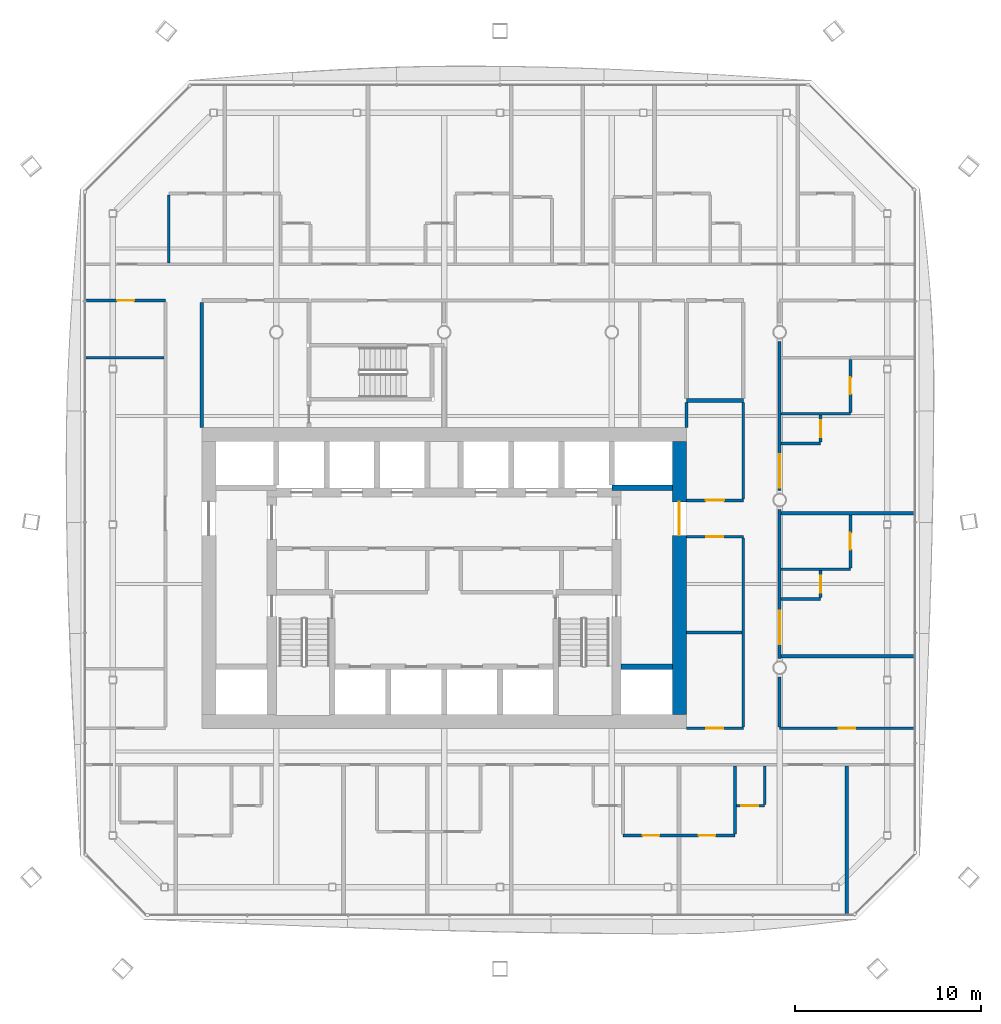
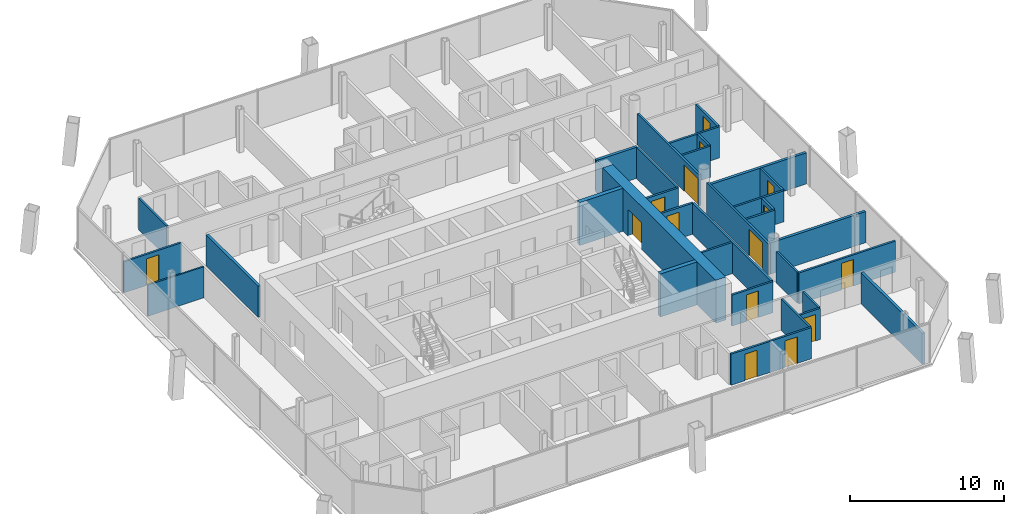
# One storey, part 13 of 18: 34 walls, 15 doors, 15 openings.
"""IFC4 building model written with IfcOpenShell, lengths in metres."""

from ifc_helpers import new_model, si_unit, direction, frame, frame_2d, origin, place, context, subcontext, project, spatial, rectangle, extrude, material, layer, layer_set, type_object, element, fill, save


model = new_model("IFC4")

# Units and contexts
model_context = context("Model", 3, precision=1e-05, world=origin(), true_north=direction((0.0, 1.0)))
body_context = subcontext(model_context, "Body", "Model", "MODEL_VIEW")
ifc_project = project(units=[si_unit("LENGTHUNIT", "METRE"), si_unit("AREAUNIT", "SQUARE_METRE"), si_unit("VOLUMEUNIT", "CUBIC_METRE"), si_unit("PLANEANGLEUNIT", "RADIAN"), si_unit("MASSUNIT", "GRAM", prefix="KILO")], contexts=[model_context])

# Site, building, storey
site_placement = place(None, origin())
site = spatial("IfcSite", under=ifc_project, at=site_placement, CompositionType="ELEMENT")
building_placement = place(site_placement, origin())
building = spatial("IfcBuilding", under=site, at=building_placement, Name="Tskaro Facet Tower", CompositionType="ELEMENT")
storey_placement = place(building_placement, frame((0.0, 0.0, 145.300048828125)))
storey = spatial("IfcBuildingStorey", under=building, at=storey_placement, Name="L35", CompositionType="ELEMENT", Elevation=145.300048828125)

# Walls
ifc_material_1 = material(Name="Concrete C60/75", Category="concrete")
ifc_layer_1 = layer(ifc_material_1, 0.300048828125, Name="Concrete C60/75")
ifc_layer_set_1 = layer_set([ifc_layer_1], Name="Concrete C60/75")
wall_type_1 = type_object("IfcWallType", Name="CORE-SHAFT", PredefinedType="SHEAR", material=ifc_layer_set_1)
wall_1_placement = place(storey_placement, frame((9.5, -8.949951171875, 0.0), z_axis=(0.0, 0.0, 1.0), x_axis=(1.0, 0.0, 0.0)))
element("IfcWall", 1, at=wall_1_placement, inside=storey, type_object=wall_type_1, Name="Shaft wall W015", PredefinedType="SHEAR", context=body_context, shape_type="SweptSolid", body=[
    extrude(rectangle(XDim=2.75, YDim=0.300048828125, at=frame_2d((1.375, 0.0))), origin(), (0.0, 0.0, 1.0), 3.39990234375),
])
wall_2_placement = place(storey_placement, frame((12.25, 0.64990234375, 0.0), z_axis=(0.0, 0.0, 1.0), x_axis=(-1.0, 0.0, 0.0)))
element("IfcWall", 2, at=wall_2_placement, inside=storey, type_object=wall_type_1, Name="Shaft wall W029", PredefinedType="SHEAR", context=body_context, shape_type="SweptSolid", body=[
    extrude(rectangle(XDim=3.25, YDim=0.300048828125, at=frame_2d((1.625, 0.0))), origin(), (0.0, 0.0, 1.0), 3.39990234375),
])

# Wall, opening, door
ifc_material_2 = material(Name="Concrete C50/60", Category="concrete")
ifc_layer_2 = layer(ifc_material_2, 0.75, Name="Concrete C50/60")
ifc_layer_set_2 = layer_set([ifc_layer_2], Name="Concrete C50/60")
wall_type_2 = type_object("IfcWallType", Name="Core wall 750", PredefinedType="SHEAR", material=ifc_layer_set_2)
wall_3_placement = place(storey_placement, frame((12.625, -11.5, 0.0), z_axis=(0.0, 0.0, 1.0), x_axis=(0.0, 1.0, 0.0)))
wall_3 = element("IfcWall", 3, at=wall_3_placement, inside=storey, type_object=wall_type_2, Name="Core wall CW-Z2E", PredefinedType="SHEAR", context=body_context, shape_type="SweptSolid", body=[
    extrude(rectangle(XDim=14.64990234375, YDim=0.75, at=frame_2d((7.324951171875, 0.0))), origin(), (0.0, 0.0, 1.0), 3.39990234375),
])
opening_1_placement = place(wall_3_placement, frame((9.60009765625, 0.0, 0.0)))
opening_1 = element("IfcOpeningElement", 4, at=opening_1_placement, cuts=wall_3, Name="Opening T10-D33", PredefinedType="OPENING", context=body_context, shape_type="SweptSolid", body=[
    extrude(rectangle(XDim=1.800048828125, YDim=2.10009765625, at=frame_2d((0.89990234375, 1.050048828125))), frame((0.0, 0.385009765625, 0.0), z_axis=(0.0, -1.0, 0.0), x_axis=(1.0, 0.0, 0.0)), (0.0, 0.0, 1.0), 0.77001953125),
])
ifc_material_3 = material(Name="Steel", Category="steel")
door_type_1 = type_object("IfcDoorType", Name="D-CORE-PAIR", OperationType="NOTDEFINED", PredefinedType="DOOR", material=ifc_material_3)
door_1_placement = place(opening_1_placement, origin())
door_1 = element("IfcDoor", 5, at=door_1_placement, inside=storey, type_object=door_type_1, Name="Door T10-D33", OperationType="DOUBLE_DOOR_SINGLE_SWING", OverallHeight=2.10009765625, OverallWidth=1.800048828125, PredefinedType="DOOR", context=body_context, shape_type="SweptSolid", body=[
    extrude(rectangle(XDim=1.800048828125, YDim=2.10009765625, at=frame_2d((0.89990234375, 1.050048828125))), frame((0.0, 0.02490234375, 0.0), z_axis=(0.0, -1.0, 0.0), x_axis=(1.0, 0.0, 0.0)), (0.0, 0.0, 1.0), 0.050048828125),
])
fill(opening_1, door_1)

# Wall
ifc_material_4 = material(Name="Gypsum board on steel studs", Category="steel")
ifc_layer_3 = layer(ifc_material_4, 0.125, Name="Gypsum board on steel studs")
ifc_layer_set_3 = layer_set([ifc_layer_3], Name="Gypsum board on steel studs")
wall_type_3 = type_object("IfcWallType", Name="PART", PredefinedType="PARTITIONING", material=ifc_layer_set_3)
wall_4_placement = place(storey_placement, frame((-19.221923828125, 7.6259765625, 0.0), z_axis=(0.0, 0.0, 1.0), x_axis=(1.0, 0.0, 0.0)))
element("IfcWall", 6, at=wall_4_placement, inside=storey, type_object=wall_type_3, Name="Partition W034", PredefinedType="PARTITIONING", context=body_context, shape_type="SweptSolid", body=[
    extrude(rectangle(XDim=4.197021484375, YDim=0.125, at=frame_2d((2.0986328125, 0.0))), origin(), (0.0, 0.0, 1.0), 2.4599609375),
])

# Wall, openings, doors
ifc_layer_4 = layer(ifc_material_4, 0.14990234375, Name="Gypsum board on steel studs")
ifc_layer_set_4 = layer_set([ifc_layer_4], Name="Gypsum board on steel studs")
wall_type_4 = type_object("IfcWallType", Name="PART-CORR", PredefinedType="PARTITIONING", material=ifc_layer_set_4)
wall_5_placement = place(storey_placement, frame((9.60009765625, -18.0, 0.0), z_axis=(0.0, 0.0, 1.0), x_axis=(1.0, 0.0, 0.0)))
wall_5 = element("IfcWall", 7, at=wall_5_placement, inside=storey, type_object=wall_type_4, Name="Corridor wall W002", PredefinedType="PARTITIONING", context=body_context, shape_type="SweptSolid", body=[
    extrude(rectangle(XDim=6.0, YDim=0.14990234375, at=frame_2d((3.0, 0.0))), origin(), (0.0, 0.0, 1.0), 2.4599609375),
])
opening_2_placement = place(wall_5_placement, frame((1.050048828125, 0.0, 0.0)))
opening_2 = element("IfcOpeningElement", 8, at=opening_2_placement, cuts=wall_5, Name="Opening T10-D02", PredefinedType="OPENING", context=body_context, shape_type="SweptSolid", body=[
    extrude(rectangle(XDim=0.89990234375, YDim=2.10009765625, at=frame_2d((0.449951171875, 1.050048828125))), frame((0.0, 0.0849609375, 0.0), z_axis=(0.0, -1.0, 0.0), x_axis=(1.0, 0.0, 0.0)), (0.0, 0.0, 1.0), 0.169921875),
])
opening_3_placement = place(wall_5_placement, frame((4.050048828125, 0.0, 0.0)))
opening_3 = element("IfcOpeningElement", 9, at=opening_3_placement, cuts=wall_5, Name="Opening T10-D03", PredefinedType="OPENING", context=body_context, shape_type="SweptSolid", body=[
    extrude(rectangle(XDim=0.89990234375, YDim=2.10009765625, at=frame_2d((0.449951171875, 1.050048828125))), frame((0.0, 0.0849609375, 0.0), z_axis=(0.0, -1.0, 0.0), x_axis=(1.0, 0.0, 0.0)), (0.0, 0.0, 1.0), 0.169921875),
])
ifc_material_5 = material(Name="Timber", Category="wood")
door_type_2 = type_object("IfcDoorType", Name="D-ROOM", OperationType="NOTDEFINED", PredefinedType="DOOR", material=ifc_material_5)
door_2_placement = place(opening_2_placement, origin())
door_2 = element("IfcDoor", 10, at=door_2_placement, inside=storey, type_object=door_type_2, Name="Door T10-D02", OperationType="SINGLE_SWING_LEFT", OverallHeight=2.10009765625, OverallWidth=0.89990234375, PredefinedType="DOOR", context=body_context, shape_type="SweptSolid", body=[
    extrude(rectangle(XDim=0.89990234375, YDim=2.10009765625, at=frame_2d((0.449951171875, 1.050048828125))), frame((0.0, 0.02490234375, 0.0), z_axis=(0.0, -1.0, 0.0), x_axis=(1.0, 0.0, 0.0)), (0.0, 0.0, 1.0), 0.050048828125),
])
fill(opening_2, door_2)
door_3_placement = place(opening_3_placement, origin())
door_3 = element("IfcDoor", 11, at=door_3_placement, inside=storey, type_object=door_type_2, Name="Door T10-D03", OperationType="SINGLE_SWING_LEFT", OverallHeight=2.10009765625, OverallWidth=0.89990234375, PredefinedType="DOOR", context=body_context, shape_type="SweptSolid", body=[
    extrude(rectangle(XDim=0.89990234375, YDim=2.10009765625, at=frame_2d((0.449951171875, 1.050048828125))), frame((0.0, 0.02490234375, 0.0), z_axis=(0.0, -1.0, 0.0), x_axis=(1.0, 0.0, 0.0)), (0.0, 0.0, 1.0), 0.050048828125),
])
fill(opening_3, door_3)

# Wall, opening, door
wall_6_placement = place(storey_placement, frame((15.675048828125, -16.39990234375, 0.0), z_axis=(0.0, 0.0, 1.0), x_axis=(1.0, 0.0, 0.0)))
wall_6 = element("IfcWall", 12, at=wall_6_placement, inside=storey, type_object=wall_type_4, Name="Corridor wall W007", PredefinedType="PARTITIONING", context=body_context, shape_type="SweptSolid", body=[
    extrude(rectangle(XDim=1.52490234375, YDim=0.14990234375, at=frame_2d((0.762451171875, 0.0))), origin(), (0.0, 0.0, 1.0), 2.4599609375),
])
opening_4_placement = place(wall_6_placement, frame((0.27490234375, 0.0, 0.0)))
opening_4 = element("IfcOpeningElement", 13, at=opening_4_placement, cuts=wall_6, Name="Opening T10-D09", PredefinedType="OPENING", context=body_context, shape_type="SweptSolid", body=[
    extrude(rectangle(XDim=0.89990234375, YDim=2.10009765625, at=frame_2d((0.449951171875, 1.050048828125))), frame((0.0, 0.0849609375, 0.0), z_axis=(0.0, -1.0, 0.0), x_axis=(1.0, 0.0, 0.0)), (0.0, 0.0, 1.0), 0.169921875),
])
door_4_placement = place(opening_4_placement, origin())
door_4 = element("IfcDoor", 14, at=door_4_placement, inside=storey, type_object=door_type_2, Name="Door T10-D09", OperationType="SINGLE_SWING_LEFT", OverallHeight=2.10009765625, OverallWidth=0.89990234375, PredefinedType="DOOR", context=body_context, shape_type="SweptSolid", body=[
    extrude(rectangle(XDim=0.89990234375, YDim=2.10009765625, at=frame_2d((0.449951171875, 1.050048828125))), frame((0.0, 0.02490234375, 0.0), z_axis=(0.0, -1.0, 0.0), x_axis=(1.0, 0.0, 0.0)), (0.0, 0.0, 1.0), 0.050048828125),
])
fill(opening_4, door_4)

wall_7_placement = place(storey_placement, frame((13.0, -12.25, 0.0), z_axis=(0.0, 0.0, 1.0), x_axis=(1.0, 0.0, 0.0)))
wall_7 = element("IfcWall", 15, at=wall_7_placement, inside=storey, type_object=wall_type_4, Name="Corridor wall W010", PredefinedType="PARTITIONING", context=body_context, shape_type="SweptSolid", body=[
    extrude(rectangle(XDim=3.050048828125, YDim=0.14990234375, at=frame_2d((1.52490234375, 0.0))), origin(), (0.0, 0.0, 1.0), 2.4599609375),
])
opening_5_placement = place(wall_7_placement, frame((1.074951171875, 0.0, 0.0)))
opening_5 = element("IfcOpeningElement", 16, at=opening_5_placement, cuts=wall_7, Name="Opening T10-D18", PredefinedType="OPENING", context=body_context, shape_type="SweptSolid", body=[
    extrude(rectangle(XDim=0.89990234375, YDim=2.10009765625, at=frame_2d((0.449951171875, 1.050048828125))), frame((0.0, 0.0849609375, 0.0), z_axis=(0.0, -1.0, 0.0), x_axis=(1.0, 0.0, 0.0)), (0.0, 0.0, 1.0), 0.169921875),
])
door_5_placement = place(opening_5_placement, origin())
door_5 = element("IfcDoor", 17, at=door_5_placement, inside=storey, type_object=door_type_2, Name="Door T10-D18", OperationType="SINGLE_SWING_LEFT", OverallHeight=2.10009765625, OverallWidth=0.89990234375, PredefinedType="DOOR", context=body_context, shape_type="SweptSolid", body=[
    extrude(rectangle(XDim=0.89990234375, YDim=2.10009765625, at=frame_2d((0.449951171875, 1.050048828125))), frame((0.0, 0.02490234375, 0.0), z_axis=(0.0, -1.0, 0.0), x_axis=(1.0, 0.0, 0.0)), (0.0, 0.0, 1.0), 0.050048828125),
])
fill(opening_5, door_5)

wall_8_placement = place(storey_placement, frame((18.0, -12.25, 0.0), z_axis=(0.0, 0.0, 1.0), x_axis=(1.0, 0.0, 0.0)))
wall_8 = element("IfcWall", 18, at=wall_8_placement, inside=storey, type_object=wall_type_4, Name="Corridor wall W011", PredefinedType="PARTITIONING", context=body_context, shape_type="SweptSolid", body=[
    extrude(rectangle(XDim=7.221923828125, YDim=0.14990234375, at=frame_2d((3.61083984375, 0.0))), origin(), (0.0, 0.0, 1.0), 2.4599609375),
])
opening_6_placement = place(wall_8_placement, frame((3.160888671875, 0.0, 0.0)))
opening_6 = element("IfcOpeningElement", 19, at=opening_6_placement, cuts=wall_8, Name="Opening T10-D19", PredefinedType="OPENING", context=body_context, shape_type="SweptSolid", body=[
    extrude(rectangle(XDim=0.89990234375, YDim=2.10009765625, at=frame_2d((0.449951171875, 1.050048828125))), frame((0.0, 0.0849609375, 0.0), z_axis=(0.0, -1.0, 0.0), x_axis=(1.0, 0.0, 0.0)), (0.0, 0.0, 1.0), 0.169921875),
])
door_6_placement = place(opening_6_placement, origin())
door_6 = element("IfcDoor", 20, at=door_6_placement, inside=storey, type_object=door_type_2, Name="Door T10-D19", OperationType="SINGLE_SWING_LEFT", OverallHeight=2.10009765625, OverallWidth=0.89990234375, PredefinedType="DOOR", context=body_context, shape_type="SweptSolid", body=[
    extrude(rectangle(XDim=0.89990234375, YDim=2.10009765625, at=frame_2d((0.449951171875, 1.050048828125))), frame((0.0, 0.02490234375, 0.0), z_axis=(0.0, -1.0, 0.0), x_axis=(1.0, 0.0, 0.0)), (0.0, 0.0, 1.0), 0.050048828125),
])
fill(opening_6, door_6)

# Walls
wall_9_placement = place(storey_placement, frame((13.0, -7.112060546875, 0.0), z_axis=(0.0, 0.0, 1.0), x_axis=(1.0, 0.0, 0.0)))
element("IfcWall", 21, at=wall_9_placement, inside=storey, type_object=wall_type_4, Name="Corridor wall W017", PredefinedType="PARTITIONING", context=body_context, shape_type="SweptSolid", body=[
    extrude(rectangle(XDim=2.97509765625, YDim=0.14990234375, at=frame_2d((1.487548828125, 0.0))), origin(), (0.0, 0.0, 1.0), 2.4599609375),
])
wall_10_placement = place(storey_placement, frame((18.074951171875, -5.31591796875, 0.0), z_axis=(0.0, 0.0, 1.0), x_axis=(1.0, 0.0, 0.0)))
element("IfcWall", 22, at=wall_10_placement, inside=storey, type_object=wall_type_4, Name="Corridor wall W018", PredefinedType="PARTITIONING", context=body_context, shape_type="SweptSolid", body=[
    extrude(rectangle(XDim=2.125, YDim=0.14990234375, at=frame_2d((1.0625, 0.0))), origin(), (0.0, 0.0, 1.0), 2.4599609375),
])
wall_11_placement = place(storey_placement, frame((18.074951171875, -3.716064453125, 0.0), z_axis=(0.0, 0.0, 1.0), x_axis=(1.0, 0.0, 0.0)))
element("IfcWall", 23, at=wall_11_placement, inside=storey, type_object=wall_type_4, Name="Corridor wall W023", PredefinedType="PARTITIONING", context=body_context, shape_type="SweptSolid", body=[
    extrude(rectangle(XDim=3.72509765625, YDim=0.14990234375, at=frame_2d((1.862548828125, 0.0))), origin(), (0.0, 0.0, 1.0), 2.4599609375),
])

# Wall, opening, door
wall_12_placement = place(storey_placement, frame((16.050048828125, -1.97509765625, 0.0), z_axis=(0.0, 0.0, 1.0), x_axis=(-1.0, 0.0, 0.0)))
wall_12 = element("IfcWall", 24, at=wall_12_placement, inside=storey, type_object=wall_type_4, Name="Corridor wall W025", PredefinedType="PARTITIONING", context=body_context, shape_type="SweptSolid", body=[
    extrude(rectangle(XDim=3.050048828125, YDim=0.14990234375, at=frame_2d((1.52490234375, 0.0))), origin(), (0.0, 0.0, 1.0), 2.4599609375),
])
opening_7_placement = place(wall_12_placement, frame((1.074951171875, 0.0, 0.0)))
opening_7 = element("IfcOpeningElement", 25, at=opening_7_placement, cuts=wall_12, Name="Opening T10-D29", PredefinedType="OPENING", context=body_context, shape_type="SweptSolid", body=[
    extrude(rectangle(XDim=0.89990234375, YDim=2.10009765625, at=frame_2d((0.449951171875, 1.050048828125))), frame((0.0, 0.0849609375, 0.0), z_axis=(0.0, -1.0, 0.0), x_axis=(1.0, 0.0, 0.0)), (0.0, 0.0, 1.0), 0.169921875),
])
door_7_placement = place(opening_7_placement, origin())
door_7 = element("IfcDoor", 26, at=door_7_placement, inside=storey, type_object=door_type_2, Name="Door T10-D29", OperationType="SINGLE_SWING_RIGHT", OverallHeight=2.10009765625, OverallWidth=0.89990234375, PredefinedType="DOOR", context=body_context, shape_type="SweptSolid", body=[
    extrude(rectangle(XDim=0.89990234375, YDim=2.10009765625, at=frame_2d((0.449951171875, 1.050048828125))), frame((0.0, 0.02490234375, 0.0), z_axis=(0.0, -1.0, 0.0), x_axis=(1.0, 0.0, 0.0)), (0.0, 0.0, 1.0), 0.050048828125),
])
fill(opening_7, door_7)

wall_13_placement = place(storey_placement, frame((13.0, -0.02490234375, 0.0), z_axis=(0.0, 0.0, 1.0), x_axis=(1.0, 0.0, 0.0)))
wall_13 = element("IfcWall", 27, at=wall_13_placement, inside=storey, type_object=wall_type_4, Name="Corridor wall W027", PredefinedType="PARTITIONING", context=body_context, shape_type="SweptSolid", body=[
    extrude(rectangle(XDim=3.050048828125, YDim=0.14990234375, at=frame_2d((1.52490234375, 0.0))), origin(), (0.0, 0.0, 1.0), 2.4599609375),
])
opening_8_placement = place(wall_13_placement, frame((1.02490234375, 0.0, 0.0)))
opening_8 = element("IfcOpeningElement", 28, at=opening_8_placement, cuts=wall_13, Name="Opening T10-D35", PredefinedType="OPENING", context=body_context, shape_type="SweptSolid", body=[
    extrude(rectangle(XDim=1.0, YDim=2.10009765625, at=frame_2d((0.5, 1.050048828125))), frame((0.0, 0.0849609375, 0.0), z_axis=(0.0, -1.0, 0.0), x_axis=(1.0, 0.0, 0.0)), (0.0, 0.0, 1.0), 0.169921875),
])
door_type_3 = type_object("IfcDoorType", Name="D-ROOM-WIDE", OperationType="NOTDEFINED", PredefinedType="DOOR", material=ifc_material_5)
door_8_placement = place(opening_8_placement, origin())
door_8 = element("IfcDoor", 29, at=door_8_placement, inside=storey, type_object=door_type_3, Name="Door T10-D35", OperationType="SINGLE_SWING_LEFT", OverallHeight=2.10009765625, OverallWidth=1.0, PredefinedType="DOOR", context=body_context, shape_type="SweptSolid", body=[
    extrude(rectangle(XDim=1.0, YDim=2.10009765625, at=frame_2d((0.5, 1.050048828125))), frame((0.0, 0.02490234375, 0.0), z_axis=(0.0, -1.0, 0.0), x_axis=(1.0, 0.0, 0.0)), (0.0, 0.0, 1.0), 0.050048828125),
])
fill(opening_8, door_8)

# Walls
wall_14_placement = place(storey_placement, frame((18.074951171875, 3.02587890625, 0.0), z_axis=(0.0, 0.0, 1.0), x_axis=(1.0, 0.0, 0.0)))
element("IfcWall", 30, at=wall_14_placement, inside=storey, type_object=wall_type_4, Name="Corridor wall W030", PredefinedType="PARTITIONING", context=body_context, shape_type="SweptSolid", body=[
    extrude(rectangle(XDim=2.125, YDim=0.14990234375, at=frame_2d((1.0625, 0.0))), origin(), (0.0, 0.0, 1.0), 2.4599609375),
])
wall_15_placement = place(storey_placement, frame((18.074951171875, 4.6259765625, 0.0), z_axis=(0.0, 0.0, 1.0), x_axis=(1.0, 0.0, 0.0)))
element("IfcWall", 31, at=wall_15_placement, inside=storey, type_object=wall_type_4, Name="Corridor wall W031", PredefinedType="PARTITIONING", context=body_context, shape_type="SweptSolid", body=[
    extrude(rectangle(XDim=3.72509765625, YDim=0.14990234375, at=frame_2d((1.862548828125, 0.0))), origin(), (0.0, 0.0, 1.0), 2.4599609375),
])

# Wall, opening, door
wall_16_placement = place(storey_placement, frame((-14.949951171875, 10.699951171875, 0.0), z_axis=(0.0, 0.0, 1.0), x_axis=(-1.0, 0.0, 0.0)))
wall_16 = element("IfcWall", 32, at=wall_16_placement, inside=storey, type_object=wall_type_4, Name="Corridor wall W039", PredefinedType="PARTITIONING", context=body_context, shape_type="SweptSolid", body=[
    extrude(rectangle(XDim=4.27197265625, YDim=0.14990234375, at=frame_2d((2.135986328125, 0.0))), origin(), (0.0, 0.0, 1.0), 2.4599609375),
])
opening_9_placement = place(wall_16_placement, frame((1.68603515625, 0.0, 0.0)))
opening_9 = element("IfcOpeningElement", 33, at=opening_9_placement, cuts=wall_16, Name="Opening T10-D42", PredefinedType="OPENING", context=body_context, shape_type="SweptSolid", body=[
    extrude(rectangle(XDim=0.89990234375, YDim=2.10009765625, at=frame_2d((0.449951171875, 1.050048828125))), frame((0.0, 0.0849609375, 0.0), z_axis=(0.0, -1.0, 0.0), x_axis=(1.0, 0.0, 0.0)), (0.0, 0.0, 1.0), 0.169921875),
])
door_9_placement = place(opening_9_placement, origin())
door_9 = element("IfcDoor", 34, at=door_9_placement, inside=storey, type_object=door_type_2, Name="Door T10-D42", OperationType="SINGLE_SWING_RIGHT", OverallHeight=2.10009765625, OverallWidth=0.89990234375, PredefinedType="DOOR", context=body_context, shape_type="SweptSolid", body=[
    extrude(rectangle(XDim=0.89990234375, YDim=2.10009765625, at=frame_2d((0.449951171875, 1.050048828125))), frame((0.0, 0.02490234375, 0.0), z_axis=(0.0, -1.0, 0.0), x_axis=(1.0, 0.0, 0.0)), (0.0, 0.0, 1.0), 0.050048828125),
])
fill(opening_9, door_9)

# Walls
wall_17_placement = place(storey_placement, frame((-14.76806640625, 12.72509765625, 0.0), z_axis=(0.0, 0.0, 1.0), x_axis=(0.0, 1.0, 0.0)))
element("IfcWall", 35, at=wall_17_placement, inside=storey, type_object=wall_type_4, Name="Corridor wall W056", PredefinedType="PARTITIONING", context=body_context, shape_type="SweptSolid", body=[
    extrude(rectangle(XDim=3.64990234375, YDim=0.14990234375, at=frame_2d((1.824951171875, 0.0))), origin(), (0.0, 0.0, 1.0), 2.4599609375),
])
wall_18_placement = place(storey_placement, frame((13.0, 3.89990234375, 0.0), z_axis=(0.0, 0.0, 1.0), x_axis=(0.0, 1.0, 0.0)))
element("IfcWall", 36, at=wall_18_placement, inside=storey, type_object=wall_type_4, Name="Corridor wall W104", PredefinedType="PARTITIONING", context=body_context, shape_type="SweptSolid", body=[
    extrude(rectangle(XDim=1.337158203125, YDim=0.14990234375, at=frame_2d((0.66845703125, 0.0))), origin(), (0.0, 0.0, 1.0), 2.4599609375),
])
wall_19_placement = place(storey_placement, frame((15.60009765625, -17.925048828125, 0.0), z_axis=(0.0, 0.0, 1.0), x_axis=(0.0, 1.0, 0.0)))
element("IfcWall", 37, at=wall_19_placement, inside=storey, type_object=wall_type_4, Name="Corridor wall W107", PredefinedType="PARTITIONING", context=body_context, shape_type="SweptSolid", body=[
    extrude(rectangle(XDim=3.650146484375, YDim=0.14990234375, at=frame_2d((1.8251953125, 0.0))), origin(), (0.0, 0.0, 1.0), 2.4599609375),
])
wall_20_placement = place(storey_placement, frame((16.050048828125, -12.175048828125, 0.0), z_axis=(0.0, 0.0, 1.0), x_axis=(0.0, 1.0, 0.0)))
element("IfcWall", 38, at=wall_20_placement, inside=storey, type_object=wall_type_4, Name="Corridor wall W109", PredefinedType="PARTITIONING", context=body_context, shape_type="SweptSolid", body=[
    extrude(rectangle(XDim=10.125, YDim=0.14990234375, at=frame_2d((5.0625, 0.0))), origin(), (0.0, 0.0, 1.0), 2.4599609375),
])
wall_21_placement = place(storey_placement, frame((16.050048828125, 0.050048828125, 0.0), z_axis=(0.0, 0.0, 1.0), x_axis=(0.0, 1.0, 0.0)))
element("IfcWall", 39, at=wall_21_placement, inside=storey, type_object=wall_type_4, Name="Corridor wall W110", PredefinedType="PARTITIONING", context=body_context, shape_type="SweptSolid", body=[
    extrude(rectangle(XDim=5.18701171875, YDim=0.14990234375, at=frame_2d((2.593505859375, 0.0))), origin(), (0.0, 0.0, 1.0), 2.4599609375),
])
wall_22_placement = place(storey_placement, frame((17.199951171875, -16.324951171875, 0.0), z_axis=(0.0, 0.0, 1.0), x_axis=(0.0, 1.0, 0.0)))
element("IfcWall", 40, at=wall_22_placement, inside=storey, type_object=wall_type_4, Name="Corridor wall W112", PredefinedType="PARTITIONING", context=body_context, shape_type="SweptSolid", body=[
    extrude(rectangle(XDim=2.050048828125, YDim=0.14990234375, at=frame_2d((1.02490234375, 0.0))), origin(), (0.0, 0.0, 1.0), 2.4599609375),
])
wall_23_placement = place(storey_placement, frame((18.0, -12.175048828125, 0.0), z_axis=(0.0, 0.0, 1.0), x_axis=(0.0, 1.0, 0.0)))
element("IfcWall", 41, at=wall_23_placement, inside=storey, type_object=wall_type_4, Name="Corridor wall W113", PredefinedType="PARTITIONING", context=body_context, shape_type="SweptSolid", body=[
    extrude(rectangle(XDim=2.675048828125, YDim=0.14990234375, at=frame_2d((1.33740234375, 0.0))), origin(), (0.0, 0.0, 1.0), 2.4599609375),
])

# Wall, opening, door
wall_24_placement = place(storey_placement, frame((18.0, -0.5, 0.0), z_axis=(0.0, 0.0, 1.0), x_axis=(0.0, -1.0, 0.0)))
wall_24 = element("IfcWall", 42, at=wall_24_placement, inside=storey, type_object=wall_type_4, Name="Corridor wall W114", PredefinedType="PARTITIONING", context=body_context, shape_type="SweptSolid", body=[
    extrude(rectangle(XDim=8.0, YDim=0.14990234375, at=frame_2d((4.0, 0.0))), origin(), (0.0, 0.0, 1.0), 2.4599609375),
])
opening_10_placement = place(wall_24_placement, frame((5.447998046875, 0.0, 0.0)))
opening_10 = element("IfcOpeningElement", 43, at=opening_10_placement, cuts=wall_24, Name="Opening T10-D22", PredefinedType="OPENING", context=body_context, shape_type="SweptSolid", body=[
    extrude(rectangle(XDim=1.800048828125, YDim=2.10009765625, at=frame_2d((0.89990234375, 1.050048828125))), frame((0.0, 0.0849609375, 0.0), z_axis=(0.0, -1.0, 0.0), x_axis=(1.0, 0.0, 0.0)), (0.0, 0.0, 1.0), 0.169921875),
])
door_type_4 = type_object("IfcDoorType", Name="D-SUITE-PAIR", OperationType="NOTDEFINED", PredefinedType="DOOR", material=ifc_material_5)
door_10_placement = place(opening_10_placement, origin())
door_10 = element("IfcDoor", 44, at=door_10_placement, inside=storey, type_object=door_type_4, Name="Door T10-D22", OperationType="DOUBLE_DOOR_SINGLE_SWING", OverallHeight=2.10009765625, OverallWidth=1.800048828125, PredefinedType="DOOR", context=body_context, shape_type="SweptSolid", body=[
    extrude(rectangle(XDim=1.800048828125, YDim=2.10009765625, at=frame_2d((0.89990234375, 1.050048828125))), frame((0.0, 0.02490234375, 0.0), z_axis=(0.0, -1.0, 0.0), x_axis=(1.0, 0.0, 0.0)), (0.0, 0.0, 1.0), 0.050048828125),
])
fill(opening_10, door_10)

wall_25_placement = place(storey_placement, frame((18.0, 8.5, 0.0), z_axis=(0.0, 0.0, 1.0), x_axis=(0.0, -1.0, 0.0)))
wall_25 = element("IfcWall", 45, at=wall_25_placement, inside=storey, type_object=wall_type_4, Name="Corridor wall W115", PredefinedType="PARTITIONING", context=body_context, shape_type="SweptSolid", body=[
    extrude(rectangle(XDim=8.0, YDim=0.14990234375, at=frame_2d((4.0, 0.0))), origin(), (0.0, 0.0, 1.0), 2.4599609375),
])
opening_11_placement = place(wall_25_placement, frame((6.050048828125, 0.0, 0.0)))
opening_11 = element("IfcOpeningElement", 46, at=opening_11_placement, cuts=wall_25, Name="Opening T10-D38", PredefinedType="OPENING", context=body_context, shape_type="SweptSolid", body=[
    extrude(rectangle(XDim=1.800048828125, YDim=2.10009765625, at=frame_2d((0.89990234375, 1.050048828125))), frame((0.0, 0.0849609375, 0.0), z_axis=(0.0, -1.0, 0.0), x_axis=(1.0, 0.0, 0.0)), (0.0, 0.0, 1.0), 0.169921875),
])
door_11_placement = place(opening_11_placement, origin())
door_11 = element("IfcDoor", 47, at=door_11_placement, inside=storey, type_object=door_type_4, Name="Door T10-D38", OperationType="DOUBLE_DOOR_SINGLE_SWING", OverallHeight=2.10009765625, OverallWidth=1.800048828125, PredefinedType="DOOR", context=body_context, shape_type="SweptSolid", body=[
    extrude(rectangle(XDim=1.800048828125, YDim=2.10009765625, at=frame_2d((0.89990234375, 1.050048828125))), frame((0.0, 0.02490234375, 0.0), z_axis=(0.0, -1.0, 0.0), x_axis=(1.0, 0.0, 0.0)), (0.0, 0.0, 1.0), 0.050048828125),
])
fill(opening_11, door_11)

wall_26_placement = place(storey_placement, frame((20.199951171875, -5.240966796875, 0.0), z_axis=(0.0, 0.0, 1.0), x_axis=(0.0, 1.0, 0.0)))
wall_26 = element("IfcWall", 48, at=wall_26_placement, inside=storey, type_object=wall_type_4, Name="Corridor wall W118", PredefinedType="PARTITIONING", context=body_context, shape_type="SweptSolid", body=[
    extrude(rectangle(XDim=1.449951171875, YDim=0.14990234375, at=frame_2d((0.72509765625, 0.0))), origin(), (0.0, 0.0, 1.0), 2.4599609375),
])
opening_12_placement = place(wall_26_placement, frame((0.27490234375, 0.0, 0.0)))
opening_12 = element("IfcOpeningElement", 49, at=opening_12_placement, cuts=wall_26, Name="Opening T10-D23", PredefinedType="OPENING", context=body_context, shape_type="SweptSolid", body=[
    extrude(rectangle(XDim=0.89990234375, YDim=2.10009765625, at=frame_2d((0.449951171875, 1.050048828125))), frame((0.0, 0.0849609375, 0.0), z_axis=(0.0, -1.0, 0.0), x_axis=(1.0, 0.0, 0.0)), (0.0, 0.0, 1.0), 0.169921875),
])
door_12_placement = place(opening_12_placement, origin())
door_12 = element("IfcDoor", 50, at=door_12_placement, inside=storey, type_object=door_type_2, Name="Door T10-D23", OperationType="SINGLE_SWING_LEFT", OverallHeight=2.10009765625, OverallWidth=0.89990234375, PredefinedType="DOOR", context=body_context, shape_type="SweptSolid", body=[
    extrude(rectangle(XDim=0.89990234375, YDim=2.10009765625, at=frame_2d((0.449951171875, 1.050048828125))), frame((0.0, 0.02490234375, 0.0), z_axis=(0.0, -1.0, 0.0), x_axis=(1.0, 0.0, 0.0)), (0.0, 0.0, 1.0), 0.050048828125),
])
fill(opening_12, door_12)

wall_27_placement = place(storey_placement, frame((20.199951171875, 3.10107421875, 0.0), z_axis=(0.0, 0.0, 1.0), x_axis=(0.0, 1.0, 0.0)))
wall_27 = element("IfcWall", 51, at=wall_27_placement, inside=storey, type_object=wall_type_4, Name="Corridor wall W119", PredefinedType="PARTITIONING", context=body_context, shape_type="SweptSolid", body=[
    extrude(rectangle(XDim=1.449951171875, YDim=0.14990234375, at=frame_2d((0.72509765625, 0.0))), origin(), (0.0, 0.0, 1.0), 2.4599609375),
])
opening_13_placement = place(wall_27_placement, frame((0.27490234375, 0.0, 0.0)))
opening_13 = element("IfcOpeningElement", 52, at=opening_13_placement, cuts=wall_27, Name="Opening T10-D39", PredefinedType="OPENING", context=body_context, shape_type="SweptSolid", body=[
    extrude(rectangle(XDim=0.89990234375, YDim=2.10009765625, at=frame_2d((0.449951171875, 1.050048828125))), frame((0.0, 0.0849609375, 0.0), z_axis=(0.0, -1.0, 0.0), x_axis=(1.0, 0.0, 0.0)), (0.0, 0.0, 1.0), 0.169921875),
])
door_13_placement = place(opening_13_placement, origin())
door_13 = element("IfcDoor", 53, at=door_13_placement, inside=storey, type_object=door_type_2, Name="Door T10-D39", OperationType="SINGLE_SWING_LEFT", OverallHeight=2.10009765625, OverallWidth=0.89990234375, PredefinedType="DOOR", context=body_context, shape_type="SweptSolid", body=[
    extrude(rectangle(XDim=0.89990234375, YDim=2.10009765625, at=frame_2d((0.449951171875, 1.050048828125))), frame((0.0, 0.02490234375, 0.0), z_axis=(0.0, -1.0, 0.0), x_axis=(1.0, 0.0, 0.0)), (0.0, 0.0, 1.0), 0.050048828125),
])
fill(opening_13, door_13)

wall_28_placement = place(storey_placement, frame((21.800048828125, -3.64111328125, 0.0), z_axis=(0.0, 0.0, 1.0), x_axis=(0.0, 1.0, 0.0)))
wall_28 = element("IfcWall", 54, at=wall_28_placement, inside=storey, type_object=wall_type_4, Name="Corridor wall W121", PredefinedType="PARTITIONING", context=body_context, shape_type="SweptSolid", body=[
    extrude(rectangle(XDim=2.8251953125, YDim=0.14990234375, at=frame_2d((1.41259765625, 0.0))), origin(), (0.0, 0.0, 1.0), 2.4599609375),
])
opening_14_placement = place(wall_28_placement, frame((0.97509765625, 0.0, 0.0)))
opening_14 = element("IfcOpeningElement", 55, at=opening_14_placement, cuts=wall_28, Name="Opening T10-D28", PredefinedType="OPENING", context=body_context, shape_type="SweptSolid", body=[
    extrude(rectangle(XDim=0.89990234375, YDim=2.10009765625, at=frame_2d((0.449951171875, 1.050048828125))), frame((0.0, 0.0849609375, 0.0), z_axis=(0.0, -1.0, 0.0), x_axis=(1.0, 0.0, 0.0)), (0.0, 0.0, 1.0), 0.169921875),
])
door_14_placement = place(opening_14_placement, origin())
door_14 = element("IfcDoor", 56, at=door_14_placement, inside=storey, type_object=door_type_2, Name="Door T10-D28", OperationType="SINGLE_SWING_LEFT", OverallHeight=2.10009765625, OverallWidth=0.89990234375, PredefinedType="DOOR", context=body_context, shape_type="SweptSolid", body=[
    extrude(rectangle(XDim=0.89990234375, YDim=2.10009765625, at=frame_2d((0.449951171875, 1.050048828125))), frame((0.0, 0.02490234375, 0.0), z_axis=(0.0, -1.0, 0.0), x_axis=(1.0, 0.0, 0.0)), (0.0, 0.0, 1.0), 0.050048828125),
])
fill(opening_14, door_14)

wall_29_placement = place(storey_placement, frame((21.800048828125, 4.700927734375, 0.0), z_axis=(0.0, 0.0, 1.0), x_axis=(0.0, 1.0, 0.0)))
wall_29 = element("IfcWall", 57, at=wall_29_placement, inside=storey, type_object=wall_type_4, Name="Corridor wall W122", PredefinedType="PARTITIONING", context=body_context, shape_type="SweptSolid", body=[
    extrude(rectangle(XDim=2.824951171875, YDim=0.14990234375, at=frame_2d((1.41259765625, 0.0))), origin(), (0.0, 0.0, 1.0), 2.4599609375),
])
opening_15_placement = place(wall_29_placement, frame((0.97509765625, 0.0, 0.0)))
opening_15 = element("IfcOpeningElement", 58, at=opening_15_placement, cuts=wall_29, Name="Opening T10-D41", PredefinedType="OPENING", context=body_context, shape_type="SweptSolid", body=[
    extrude(rectangle(XDim=0.89990234375, YDim=2.10009765625, at=frame_2d((0.449951171875, 1.050048828125))), frame((0.0, 0.0849609375, 0.0), z_axis=(0.0, -1.0, 0.0), x_axis=(1.0, 0.0, 0.0)), (0.0, 0.0, 1.0), 0.169921875),
])
door_15_placement = place(opening_15_placement, origin())
door_15 = element("IfcDoor", 59, at=door_15_placement, inside=storey, type_object=door_type_2, Name="Door T10-D41", OperationType="SINGLE_SWING_LEFT", OverallHeight=2.10009765625, OverallWidth=0.89990234375, PredefinedType="DOOR", context=body_context, shape_type="SweptSolid", body=[
    extrude(rectangle(XDim=0.89990234375, YDim=2.10009765625, at=frame_2d((0.449951171875, 1.050048828125))), frame((0.0, 0.02490234375, 0.0), z_axis=(0.0, -1.0, 0.0), x_axis=(1.0, 0.0, 0.0)), (0.0, 0.0, 1.0), 0.050048828125),
])
fill(opening_15, door_15)

# Walls
ifc_layer_5 = layer(ifc_material_4, 0.199951171875, Name="Gypsum board on steel studs")
ifc_layer_set_5 = layer_set([ifc_layer_5], Name="Gypsum board on steel studs")
wall_type_5 = type_object("IfcWallType", Name="PART-DEMISING", PredefinedType="PARTITIONING", material=ifc_layer_set_5)
for number, where, z_axis, x_axis, name in (
    (60, (18.074951171875, -8.3798828125, 0.0), (0.0, 0.0, 1.0), (1.0, 0.0, 0.0), "Guest room wall W016"),
    (61, (18.074951171875, -0.716064453125, 0.0), (0.0, 0.0, 1.0), (1.0, 0.0, 0.0), "Guest room wall W026"),
):
    element("IfcWall", number, at=place(storey_placement, frame(where, z_axis=z_axis, x_axis=x_axis)), inside=storey, type_object=wall_type_5, Name=name, PredefinedType="PARTITIONING", context=body_context, shape_type="SweptSolid", body=[
        extrude(rectangle(XDim=7.14697265625, YDim=0.199951171875, at=frame_2d((3.573486328125, 0.0))), origin(), (0.0, 0.0, 1.0), 2.4599609375),
    ])
wall_30_placement = place(storey_placement, frame((21.59912109375, -22.221923828125, 0.0), z_axis=(0.0, 0.0, 1.0), x_axis=(0.0, 1.0, 0.0)))
element("IfcWall", 62, at=wall_30_placement, inside=storey, type_object=wall_type_5, Name="Guest room wall W120", PredefinedType="PARTITIONING", context=body_context, shape_type="SweptSolid", body=[
    extrude(rectangle(XDim=7.947021484375, YDim=0.199951171875, at=frame_2d((3.9736328125, 0.0))), origin(), (0.0, 0.0, 1.0), 2.4599609375),
])
ifc_material_6 = material(Name="Concrete C20/25", Category="concrete")
ifc_layer_6 = layer(ifc_material_6, 0.199951171875, Name="Concrete C20/25")
ifc_layer_set_6 = layer_set([ifc_layer_6], Name="Concrete C20/25")
wall_type_6 = type_object("IfcWallType", Name="WALL-RISER", PredefinedType="SOLIDWALL", material=ifc_layer_set_6)
wall_31_placement = place(storey_placement, frame((13.0, 5.3369140625, 0.0), z_axis=(0.0, 0.0, 1.0), x_axis=(1.0, 0.0, 0.0)))
element("IfcWall", 63, at=wall_31_placement, inside=storey, type_object=wall_type_6, Name="Riser room wall W032", PredefinedType="SOLIDWALL", context=body_context, shape_type="SweptSolid", body=[
    extrude(rectangle(XDim=3.050048828125, YDim=0.199951171875, at=frame_2d((1.52490234375, 0.0))), origin(), (0.0, 0.0, 1.0), 2.4599609375),
])
wall_32_placement = place(storey_placement, frame((-13.0, 3.89990234375, 0.0), z_axis=(0.0, 0.0, 1.0), x_axis=(0.0, 1.0, 0.0)))
element("IfcWall", 64, at=wall_32_placement, inside=storey, type_object=wall_type_6, Name="Riser room wall W058", PredefinedType="SOLIDWALL", context=body_context, shape_type="SweptSolid", body=[
    extrude(rectangle(XDim=6.7001953125, YDim=0.199951171875, at=frame_2d((3.35009765625, 0.0))), origin(), (0.0, 0.0, 1.0), 2.4599609375),
])

save(model, "model.ifc")
